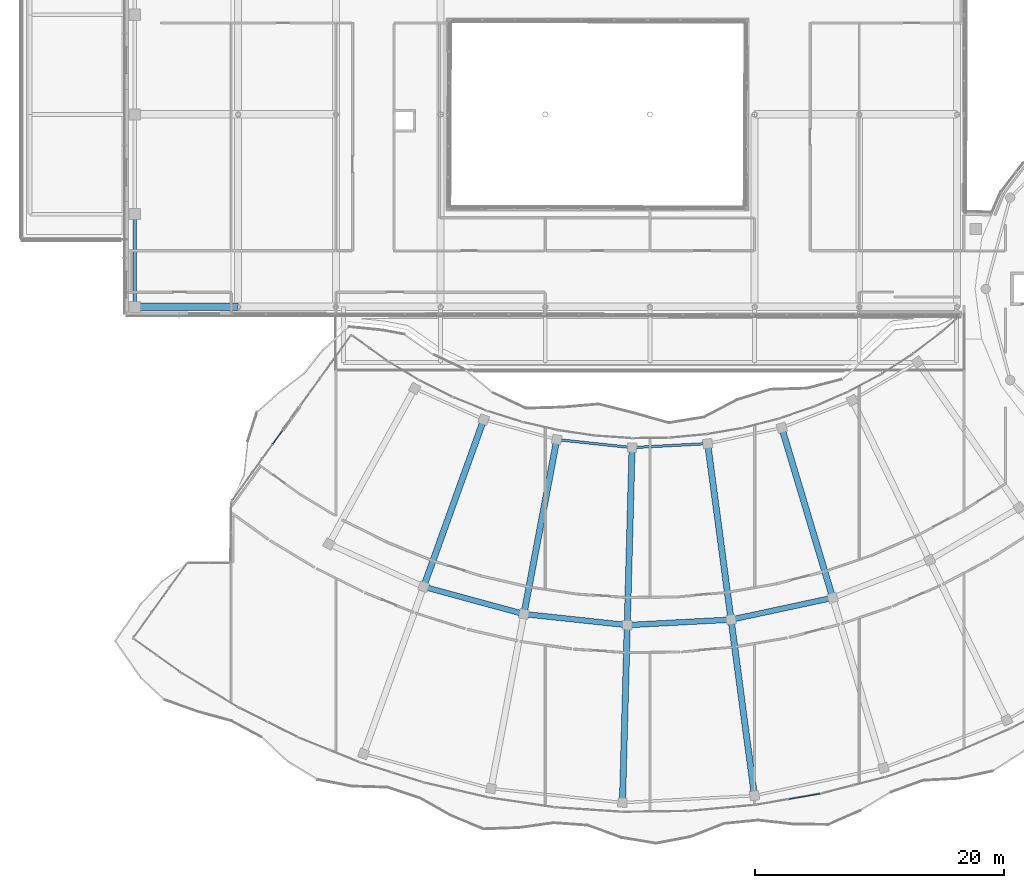
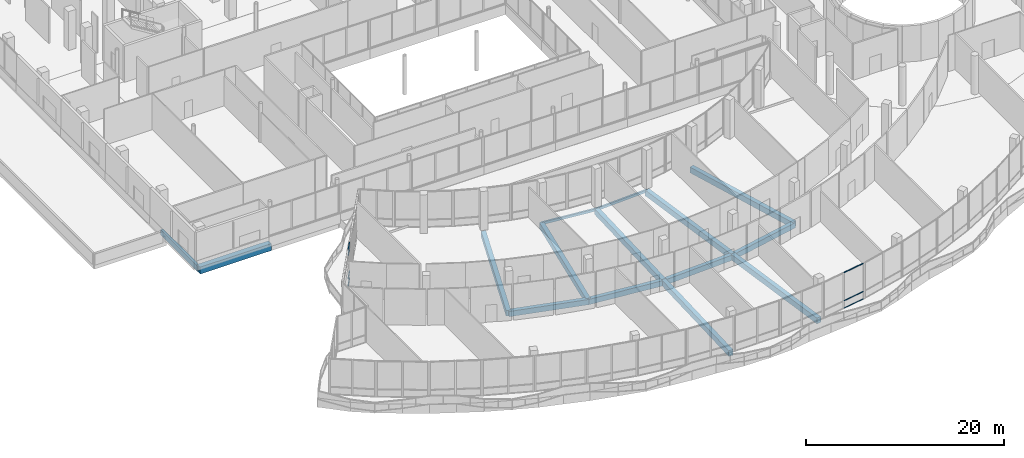
# One storey, part 25 of 168: 15 beams, 7 members, 2 elements without a shape of their own.
"""IFC4 building model written with IfcOpenShell, lengths in metres."""

from ifc_helpers import new_model, si_unit, direction, frame, origin, origin_2d, place, context, subcontext, project, spatial, rectangle, hollow_rectangle, extrude, material, material_profile, profile_set, type_object, element, aggregate, save


model = new_model("IFC4")

# Units and contexts
model_context = context("Model", 3, precision=1e-05, world=origin(), true_north=direction((0.0, 1.0)))
body_context = subcontext(model_context, "Body", "Model", "MODEL_VIEW")
ifc_project = project(units=[si_unit("LENGTHUNIT", "METRE"), si_unit("AREAUNIT", "SQUARE_METRE"), si_unit("VOLUMEUNIT", "CUBIC_METRE"), si_unit("PLANEANGLEUNIT", "RADIAN"), si_unit("MASSUNIT", "GRAM", prefix="KILO")], contexts=[model_context])

# Site, building, storey
site_placement = place(None, origin())
site = spatial("IfcSite", under=ifc_project, at=site_placement, CompositionType="ELEMENT")
building_placement = place(site_placement, origin())
building = spatial("IfcBuilding", under=site, at=building_placement, Name="Selatvlak General Hospital", CompositionType="ELEMENT")
storey_placement = place(building_placement, frame((0.0, 0.0, 5.39990234375)))
storey = spatial("IfcBuildingStorey", under=building, at=storey_placement, Name="L01", CompositionType="ELEMENT", Elevation=5.39990234375)

# Beams
ifc_material_1 = material(Name="Concrete C40/50", Category="concrete")
ifc_material_profile_1 = material_profile(ifc_material_1, rectangle(XDim=0.60009765625, YDim=0.85009765625, at=origin_2d()), Name="RC-BM 600x850")
ifc_profile_set_1 = profile_set([ifc_material_profile_1], Name="Concrete C40/50")
beam_type_1 = type_object("IfcBeamType", Name="BM-G01", PredefinedType="BEAM", material=ifc_profile_set_1)
beam_1_placement = place(storey_placement, frame((15.050048828125, 52.550048828125, -0.744873046875), z_axis=(1.0, 0.0, 0.0), x_axis=(0.0, 1.0, 0.0)))
element("IfcBeam", 1, at=beam_1_placement, inside=storey, type_object=beam_type_1, Name="Beam BMR-L01-0384", PredefinedType="BEAM", context=body_context, shape_type="SweptSolid", body=[
    extrude(rectangle(XDim=0.60009765625, YDim=0.85009765625, at=origin_2d()), origin(), (0.0, 0.0, 1.0), 8.300048828125),
])
ifc_material_profile_2 = material_profile(ifc_material_1, rectangle(XDim=0.5, YDim=0.699951171875, at=origin_2d()), Name="RC-BM 500x700")
ifc_profile_set_2 = profile_set([ifc_material_profile_2], Name="Concrete C40/50")
beam_type_2 = type_object("IfcBeamType", Name="BM-G03", PredefinedType="BEAM", material=ifc_profile_set_2)
beam_2_placement = place(storey_placement, frame((43.05908203125, 43.506103515625, -0.669921875), z_axis=(-0.338248037823, -0.941056993443, 0.0), x_axis=(0.941056993443, -0.338248037823, 0.0)))
element("IfcBeam", 2, at=beam_2_placement, inside=storey, type_object=beam_type_2, Name="Beam BMR-L01-0719", PredefinedType="BEAM", context=body_context, shape_type="SweptSolid", body=[
    extrude(rectangle(XDim=0.5, YDim=0.699951171875, at=origin_2d()), origin(), (0.0, 0.0, 1.0), 14.25),
])
beam_3_placement = place(storey_placement, frame((48.924072265625, 41.909912109375, -0.669921875), z_axis=(-0.184983631041, -0.982741601972, 0.0), x_axis=(0.982741601972, -0.184983631041, 0.0)))
element("IfcBeam", 3, at=beam_3_placement, inside=storey, type_object=beam_type_2, Name="Beam BMR-L01-0721", PredefinedType="BEAM", context=body_context, shape_type="SweptSolid", body=[
    extrude(rectangle(XDim=0.5, YDim=0.699951171875, at=origin_2d()), origin(), (0.0, 0.0, 1.0), 14.249755859375),
])
beam_4_placement = place(storey_placement, frame((54.968017578125, 41.262939453125, -0.669921875), z_axis=(-0.027088422576, -0.999633041352, 0.0), x_axis=(0.999633041352, -0.027088422576, 0.0)))
element("IfcBeam", 4, at=beam_4_placement, inside=storey, type_object=beam_type_2, Name="Beam BMR-L01-0723", PredefinedType="BEAM", context=body_context, shape_type="SweptSolid", body=[
    extrude(rectangle(XDim=0.5, YDim=0.699951171875, at=origin_2d()), origin(), (0.0, 0.0, 1.0), 14.2490234375),
])
beam_5_placement = place(storey_placement, frame((54.58203125, 27.01904296875, -0.669921875), z_axis=(-0.027087958629, -0.999633053924, 0.0), x_axis=(0.999633053924, -0.027087958629, 0.0)))
element("IfcBeam", 5, at=beam_5_placement, inside=storey, type_object=beam_type_2, Name="Beam BMR-L01-0724", PredefinedType="BEAM", context=body_context, shape_type="SweptSolid", body=[
    extrude(rectangle(XDim=0.5, YDim=0.699951171875, at=origin_2d()), origin(), (0.0, 0.0, 1.0), 14.249267578125),
])
for number, where, z_axis, x_axis, name in (
    (6, (61.034912109375, 41.5830078125, -0.669921875), (0.131731654767, -0.991285413558, 0.0), (0.991285413558, 0.131731654767, 0.0), "Beam BMR-L01-0725"),
    (7, (62.912109375, 27.45703125, -0.669921875), (0.131714819532, -0.991287650642, 0.0), (0.991287650642, 0.131714819532, 0.0), "Beam BMR-L01-0726"),
):
    element("IfcBeam", number, at=place(storey_placement, frame(where, z_axis=z_axis, x_axis=x_axis)), inside=storey, type_object=beam_type_2, Name=name, PredefinedType="BEAM", context=body_context, shape_type="SweptSolid", body=[
        extrude(rectangle(XDim=0.5, YDim=0.699951171875, at=origin_2d()), origin(), (0.0, 0.0, 1.0), 14.250244140625),
    ])
beam_6_placement = place(storey_placement, frame((66.97900390625, 42.861083984375, -0.669921875), z_axis=(0.286849619042, -0.957975623936, 0.0), x_axis=(0.957975623936, 0.286849619042, 0.0)))
element("IfcBeam", 8, at=beam_6_placement, inside=storey, type_object=beam_type_2, Name="Beam BMR-L01-0727", PredefinedType="BEAM", context=body_context, shape_type="SweptSolid", body=[
    extrude(rectangle(XDim=0.5, YDim=0.699951171875, at=origin_2d()), origin(), (0.0, 0.0, 1.0), 14.2509765625),
])
ifc_material_profile_3 = material_profile(ifc_material_1, rectangle(XDim=0.449951171875, YDim=0.64990234375, at=origin_2d()), Name="RC-BM 450x650")
ifc_profile_set_3 = profile_set([ifc_material_profile_3], Name="Concrete C40/50")
beam_type_3 = type_object("IfcBeamType", Name="BM-G04", PredefinedType="BEAM", material=ifc_profile_set_3)
beam_7_placement = place(storey_placement, frame((38.239013671875, 30.095947265625, -0.64501953125), z_axis=(0.964923713998, -0.262530429026, 0.0), x_axis=(0.262530429026, 0.964923713998, 0.0)))
element("IfcBeam", 9, at=beam_7_placement, inside=storey, type_object=beam_type_3, Name="Beam BMR-L01-0745", PredefinedType="BEAM", context=body_context, shape_type="SweptSolid", body=[
    extrude(rectangle(XDim=0.449951171875, YDim=0.64990234375, at=origin_2d()), origin(), (0.0, 0.0, 1.0), 8.341552734375),
])
beam_8_placement = place(storey_placement, frame((46.2880859375, 27.906005859375, -0.64501953125), z_axis=(0.994330393907, -0.10633469684, 0.0), x_axis=(0.10633469684, 0.994330393907, 0.0)))
element("IfcBeam", 10, at=beam_8_placement, inside=storey, type_object=beam_type_3, Name="Beam BMR-L01-0746", PredefinedType="BEAM", context=body_context, shape_type="SweptSolid", body=[
    extrude(rectangle(XDim=0.449951171875, YDim=0.64990234375, at=origin_2d()), origin(), (0.0, 0.0, 1.0), 8.34130859375),
])
beam_9_placement = place(storey_placement, frame((54.58203125, 27.01904296875, -0.64501953125), z_axis=(0.998620576885, 0.052506603603, 0.0), x_axis=(-0.052506603603, 0.998620576885, 0.0)))
element("IfcBeam", 11, at=beam_9_placement, inside=storey, type_object=beam_type_3, Name="Beam BMR-L01-0747", PredefinedType="BEAM", context=body_context, shape_type="SweptSolid", body=[
    extrude(rectangle(XDim=0.449951171875, YDim=0.64990234375, at=origin_2d()), origin(), (0.0, 0.0, 1.0), 8.341552734375),
])
beam_10_placement = place(storey_placement, frame((62.912109375, 27.45703125, -0.64501953125), z_axis=(0.977691764251, 0.210044790739, 0.0), x_axis=(-0.210044790739, 0.977691764251, 0.0)))
element("IfcBeam", 12, at=beam_10_placement, inside=storey, type_object=beam_type_3, Name="Beam BMR-L01-0748", PredefinedType="BEAM", context=body_context, shape_type="SweptSolid", body=[
    extrude(rectangle(XDim=0.449951171875, YDim=0.64990234375, at=origin_2d()), origin(), (0.0, 0.0, 1.0), 8.3408203125),
])
ifc_material_profile_4 = material_profile(ifc_material_1, rectangle(XDim=0.300048828125, YDim=0.64990234375, at=origin_2d()), Name="RC-SP 300x650")
ifc_profile_set_4 = profile_set([ifc_material_profile_4], Name="Concrete C40/50")
beam_type_4 = type_object("IfcBeamType", Name="BM-SP1", PredefinedType="SPANDREL", material=ifc_profile_set_4)
beam_11_placement = place(storey_placement, frame((15.050048828125, 52.550048828125, -0.64501953125), z_axis=(0.0, 1.0, 0.0), x_axis=(-1.0, 0.0, 0.0)))
element("IfcBeam", 13, at=beam_11_placement, inside=storey, type_object=beam_type_4, Name="Beam BMR-L01-0540", PredefinedType="SPANDREL", context=body_context, shape_type="SweptSolid", body=[
    extrude(rectangle(XDim=0.300048828125, YDim=0.64990234375, at=origin_2d()), origin(), (0.0, 0.0, 1.0), 7.449951171875),
])
ifc_material_2 = material(Name="Steel S355", Category="steel")
ifc_material_profile_5 = material_profile(ifc_material_2, hollow_rectangle(XDim=0.199951171875, YDim=0.300048828125, WallThickness=0.011962890625, at=origin_2d()), Name="RHS 300x200x12")
ifc_profile_set_5 = profile_set([ifc_material_profile_5], Name="Steel S355")
beam_type_5 = type_object("IfcBeamType", Name="BM-SP3", PredefinedType="SPANDREL", material=ifc_profile_set_5)
beam_12_placement = place(storey_placement, frame((48.924072265625, 41.909912109375, -0.469970703125), z_axis=(0.994319481673, -0.106436687124, 0.0), x_axis=(0.106436687124, 0.994319481673, 0.0)))
element("IfcBeam", 14, at=beam_12_placement, inside=storey, type_object=beam_type_5, Name="Beam BMR-L01-0738", PredefinedType="SPANDREL", context=body_context, shape_type="SweptSolid", body=[
    extrude(hollow_rectangle(XDim=0.199951171875, YDim=0.300048828125, WallThickness=0.011962890625, at=origin_2d()), origin(), (0.0, 0.0, 1.0), 6.078369140625),
])
beam_13_placement = place(storey_placement, frame((54.968017578125, 41.262939453125, -0.469970703125), z_axis=(0.998611271998, 0.052683274752, 0.0), x_axis=(-0.052683274752, 0.998611271998, 0.0)))
element("IfcBeam", 15, at=beam_13_placement, inside=storey, type_object=beam_type_5, Name="Beam BMR-L01-0739", PredefinedType="SPANDREL", context=body_context, shape_type="SweptSolid", body=[
    extrude(hollow_rectangle(XDim=0.199951171875, YDim=0.300048828125, WallThickness=0.011962890625, at=origin_2d()), origin(), (0.0, 0.0, 1.0), 6.075439453125),
])

# Curtain wall, members
ifc_material_3 = material(Name="Solar-control Low-E double glazing", Category="glass")
curtain_wall_type = type_object("IfcCurtainWallType", Name="CW-CW-01", PredefinedType="USERDEFINED", material=ifc_material_3)
curtain_wall_1_placement = place(storey_placement, origin())
curtain_wall_1 = element("IfcCurtainWall", 16, at=curtain_wall_1_placement, inside=storey, type_object=curtain_wall_type, Name="Glazed facade curtain wall CW-L01-0173", ObjectType="UNITISED CURTAIN WALL", PredefinedType="USERDEFINED")
ifc_material_4 = material(Name="Dark anodised aluminium mullion", Category="aluminium")
ifc_material_profile_6 = material_profile(ifc_material_4, hollow_rectangle(XDim=0.06494140625, YDim=0.1201171875, WallThickness=0.00390625, at=origin_2d()), Name="AL-TRN 65x120x4")
ifc_profile_set_6 = profile_set([ifc_material_profile_6], Name="Dark anodised aluminium mullion")
member_type = type_object("IfcMemberType", Name="CWT-01", PredefinedType="USERDEFINED", material=ifc_profile_set_6)
member_1_placement = place(storey_placement, frame((70.0478515625, 13.48291015625, 0.03271484375), z_axis=(-0.985299625716, -0.170835147333, 0.0), x_axis=(0.170835147333, -0.985299625716, 0.0)))
member_1 = element("IfcMember", 17, at=member_1_placement, type_object=member_type, Name="CW-01 transom 1.1", ObjectType="TRANSOM", PredefinedType="USERDEFINED", context=body_context, shape_type="SweptSolid", body=[
    extrude(hollow_rectangle(XDim=0.06494140625, YDim=0.1201171875, WallThickness=0.00390625, at=origin_2d()), origin(), (0.0, 0.0, 1.0), 2.545166015625),
])
member_2_placement = place(storey_placement, frame((70.0478515625, 13.48291015625, 0.9501953125), z_axis=(-0.985299625716, -0.170835147333, 0.0), x_axis=(0.170835147333, -0.985299625716, 0.0)))
member_2 = element("IfcMember", 18, at=member_2_placement, type_object=member_type, Name="CW-01 transom 1.2", ObjectType="TRANSOM", PredefinedType="USERDEFINED", context=body_context, shape_type="SweptSolid", body=[
    extrude(hollow_rectangle(XDim=0.06494140625, YDim=0.1201171875, WallThickness=0.00390625, at=origin_2d()), origin(), (0.0, 0.0, 1.0), 2.545166015625),
])
member_3_placement = place(storey_placement, frame((70.0478515625, 13.48291015625, 4.41259765625), z_axis=(-0.985299625716, -0.170835147333, 0.0), x_axis=(0.170835147333, -0.985299625716, 0.0)))
member_3 = element("IfcMember", 19, at=member_3_placement, type_object=member_type, Name="CW-01 transom 1.3", ObjectType="TRANSOM", PredefinedType="USERDEFINED", context=body_context, shape_type="SweptSolid", body=[
    extrude(hollow_rectangle(XDim=0.06494140625, YDim=0.1201171875, WallThickness=0.00390625, at=origin_2d()), origin(), (0.0, 0.0, 1.0), 2.545166015625),
])
aggregate(curtain_wall_1, [member_1, member_2, member_3])

curtain_wall_2_placement = place(storey_placement, origin())
curtain_wall_2 = element("IfcCurtainWall", 20, at=curtain_wall_2_placement, inside=storey, type_object=curtain_wall_type, Name="Glazed facade curtain wall CW-L01-0188", ObjectType="UNITISED CURTAIN WALL", PredefinedType="USERDEFINED")
member_4_placement = place(storey_placement, frame((26.136962890625, 41.54638671875, 0.03271484375), z_axis=(0.584009392292, 0.811746900034, 0.0), x_axis=(-0.811746900034, 0.584009392292, 0.0)))
member_4 = element("IfcMember", 21, at=member_4_placement, type_object=member_type, Name="CW-01 transom 5.1", ObjectType="TRANSOM", PredefinedType="USERDEFINED", context=body_context, shape_type="SweptSolid", body=[
    extrude(hollow_rectangle(XDim=0.06494140625, YDim=0.1201171875, WallThickness=0.00390625, at=origin_2d()), origin(), (0.0, 0.0, 1.0), 1.306884765625),
])
member_5_placement = place(storey_placement, frame((26.136962890625, 41.54638671875, 0.900146484375), z_axis=(0.584009392292, 0.811746900034, 0.0), x_axis=(-0.811746900034, 0.584009392292, 0.0)))
member_5 = element("IfcMember", 22, at=member_5_placement, type_object=member_type, Name="CW-01 transom 5.2", ObjectType="TRANSOM", PredefinedType="USERDEFINED", context=body_context, shape_type="SweptSolid", body=[
    extrude(hollow_rectangle(XDim=0.06494140625, YDim=0.1201171875, WallThickness=0.00390625, at=origin_2d()), origin(), (0.0, 0.0, 1.0), 1.306884765625),
])
member_6_placement = place(storey_placement, frame((26.136962890625, 41.54638671875, 3.795166015625), z_axis=(0.584009392292, 0.811746900034, 0.0), x_axis=(-0.811746900034, 0.584009392292, 0.0)))
member_6 = element("IfcMember", 23, at=member_6_placement, type_object=member_type, Name="CW-01 transom 5.3", ObjectType="TRANSOM", PredefinedType="USERDEFINED", context=body_context, shape_type="SweptSolid", body=[
    extrude(hollow_rectangle(XDim=0.06494140625, YDim=0.1201171875, WallThickness=0.00390625, at=origin_2d()), origin(), (0.0, 0.0, 1.0), 1.306884765625),
])
member_7_placement = place(storey_placement, frame((26.136962890625, 41.54638671875, 4.41259765625), z_axis=(0.584009392292, 0.811746900034, 0.0), x_axis=(-0.811746900034, 0.584009392292, 0.0)))
member_7 = element("IfcMember", 24, at=member_7_placement, type_object=member_type, Name="CW-01 transom 5.4", ObjectType="TRANSOM", PredefinedType="USERDEFINED", context=body_context, shape_type="SweptSolid", body=[
    extrude(hollow_rectangle(XDim=0.06494140625, YDim=0.1201171875, WallThickness=0.00390625, at=origin_2d()), origin(), (0.0, 0.0, 1.0), 1.306884765625),
])
aggregate(curtain_wall_2, [member_4, member_5, member_6, member_7])

save(model, "model.ifc")
